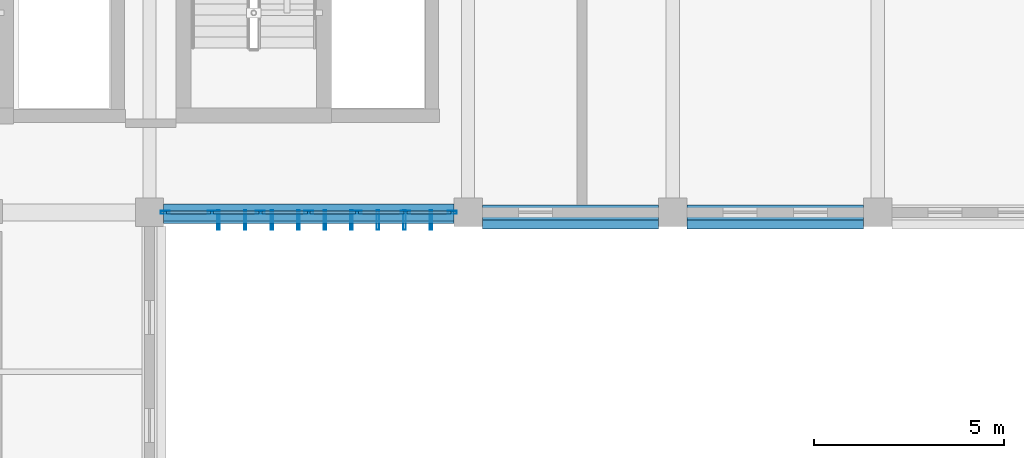
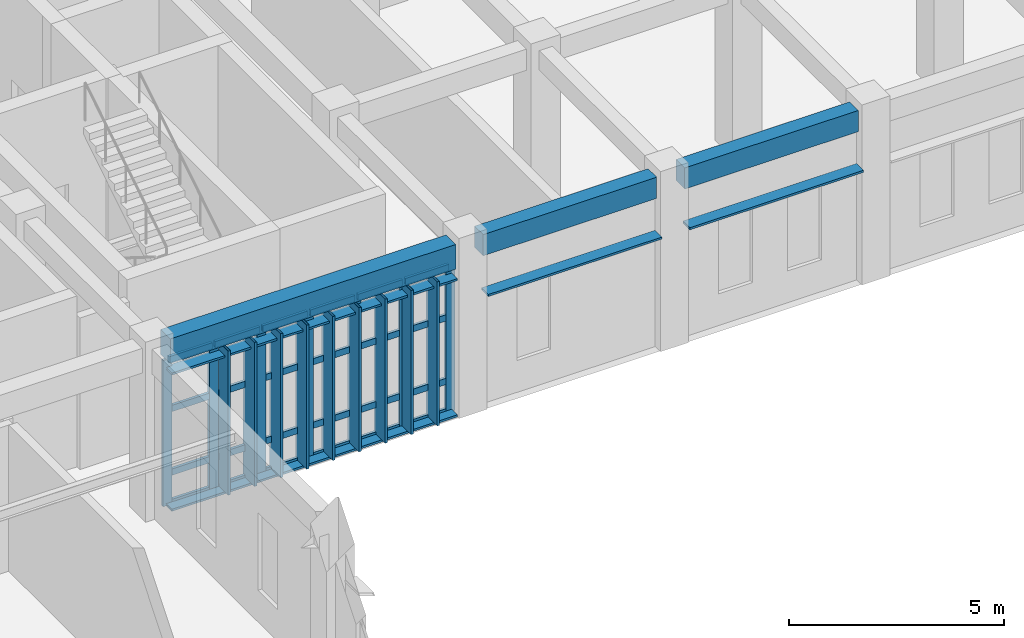
# One storey, part 37 of 77: 44 members, 3 beams, 1 element without a shape of its own.
"""IFC4 building model written with IfcOpenShell, lengths in metres."""

from ifc_helpers import new_model, si_unit, direction, frame, origin, origin_2d, place, context, subcontext, project, spatial, rectangle, hollow_rectangle, extrude, material, layer, layer_set, material_profile, profile_set, type_object, element, aggregate, save


model = new_model("IFC4")

# Units and contexts
model_context = context("Model", 3, precision=1e-05, world=origin(), true_north=direction((0.0, 1.0)))
body_context = subcontext(model_context, "Body", "Model", "MODEL_VIEW")
ifc_project = project(units=[si_unit("LENGTHUNIT", "METRE"), si_unit("AREAUNIT", "SQUARE_METRE"), si_unit("VOLUMEUNIT", "CUBIC_METRE"), si_unit("PLANEANGLEUNIT", "RADIAN"), si_unit("MASSUNIT", "GRAM", prefix="KILO")], contexts=[model_context])

# Site, building, storey
site_placement = place(None, origin())
site = spatial("IfcSite", under=ifc_project, at=site_placement, CompositionType="ELEMENT")
building_placement = place(site_placement, origin())
building = spatial("IfcBuilding", under=site, at=building_placement, Name="Krzemoval Escarpment Law Courts", CompositionType="ELEMENT")
storey_placement = place(building_placement, frame((0.0, 0.0, 15.300048828125)))
storey = spatial("IfcBuildingStorey", under=building, at=storey_placement, Name="L03", CompositionType="ELEMENT", Elevation=15.300048828125)

# Beams
ifc_material_1 = material(Name="Concrete C40/50", Category="concrete")
ifc_material_profile_1 = material_profile(ifc_material_1, rectangle(XDim=0.39990234375, YDim=0.60009765625, at=origin_2d()), Name="RCB 400x600")
ifc_profile_set_1 = profile_set([ifc_material_profile_1], Name="Concrete C40/50")
beam_type_1 = type_object("IfcBeamType", Name="BM-RC-400x600", PredefinedType="BEAM", material=ifc_profile_set_1)
beam_1_placement = place(storey_placement, frame((151.574951171875, 93.60009765625, 4.5400390625), z_axis=(1.0, 0.0, 0.0), x_axis=(0.0, 1.0, 0.0)))
element("IfcBeam", 1, at=beam_1_placement, inside=storey, type_object=beam_type_1, Name="Beam FG-L03-2185", PredefinedType="BEAM", context=body_context, shape_type="SweptSolid", body=[
    extrude(rectangle(XDim=0.39990234375, YDim=0.60009765625, at=origin_2d()), origin(), (0.0, 0.0, 1.0), 4.650146484375),
])
beam_2_placement = place(storey_placement, frame((156.97509765625, 93.60009765625, 4.5400390625), z_axis=(1.0, 0.0, 0.0), x_axis=(0.0, 1.0, 0.0)))
element("IfcBeam", 2, at=beam_2_placement, inside=storey, type_object=beam_type_1, Name="Beam FG-L03-2186", PredefinedType="BEAM", context=body_context, shape_type="SweptSolid", body=[
    extrude(rectangle(XDim=0.39990234375, YDim=0.60009765625, at=origin_2d()), origin(), (0.0, 0.0, 1.0), 4.64990234375),
])
ifc_material_2 = material(Name="Concrete C40/50", Category="concrete")
ifc_material_profile_2 = material_profile(ifc_material_2, rectangle(XDim=0.449951171875, YDim=0.699951171875, at=origin_2d()), Name="RCB 450x700")
ifc_profile_set_2 = profile_set([ifc_material_profile_2], Name="Concrete C40/50")
beam_type_2 = type_object("IfcBeamType", Name="BM-RC-450x700", PredefinedType="BEAM", material=ifc_profile_set_2)
beam_3_placement = place(storey_placement, frame((143.175048828125, 93.60009765625, 4.489990234375), z_axis=(1.0, 0.0, 0.0), x_axis=(0.0, 1.0, 0.0)))
element("IfcBeam", 3, at=beam_3_placement, inside=storey, type_object=beam_type_2, Name="Beam FG-L03-2184", PredefinedType="BEAM", context=body_context, shape_type="SweptSolid", body=[
    extrude(rectangle(XDim=0.449951171875, YDim=0.699951171875, at=origin_2d()), origin(), (0.0, 0.0, 1.0), 7.64990234375),
])

# Curtain wall, members
ifc_material_3 = material(Name="Aluminium 6063-T6", Category="aluminium")
ifc_layer = layer(ifc_material_3, 0.239990234375)
ifc_layer_set = layer_set([ifc_layer], Name="Aluminium 6063-T6")
curtain_wall_type = type_object("IfcCurtainWallType", Name="CW-CHMB-4800", PredefinedType="USERDEFINED", material=ifc_layer_set)
curtain_wall_placement = place(storey_placement, origin())
curtain_wall = element("IfcCurtainWall", 4, at=curtain_wall_placement, inside=storey, type_object=curtain_wall_type, Name="Unitised Curtain Wall FCW-L03-121", ObjectType="UNITISED_CURTAIN_WALL", PredefinedType="USERDEFINED")
ifc_material_4 = material(Name="Aluminium 6063-T6", Category="aluminium")
ifc_material_profile_3 = material_profile(ifc_material_4, hollow_rectangle(XDim=0.074951171875, YDim=0.239990234375, WallThickness=0.0048828125, at=origin_2d()), Name="ALU M75x240")
ifc_profile_set_3 = profile_set([ifc_material_profile_3], Name="Aluminium 6063-T6")
member_type_1 = type_object("IfcMemberType", Name="CWM-75x240", PredefinedType="MULLION", material=ifc_profile_set_3)
member_1_placement = place(storey_placement, frame((150.78759765625, 93.60009765625, 0.0), z_axis=(0.0, 0.0, 1.0), x_axis=(0.0, -1.0, 0.0)))
member_1 = element("IfcMember", 5, at=member_1_placement, type_object=member_type_1, Name="FCW-L03-121 mullion 1", PredefinedType="MULLION", context=body_context, shape_type="SweptSolid", body=[
    extrude(hollow_rectangle(XDim=0.074951171875, YDim=0.239990234375, WallThickness=0.0048828125, at=origin_2d()), origin(), (0.0, 0.0, 1.0), 4.139892578125),
])
member_2_placement = place(storey_placement, frame((149.550048828125, 93.60009765625, 0.0), z_axis=(0.0, 0.0, 1.0), x_axis=(0.0, -1.0, 0.0)))
member_2 = element("IfcMember", 6, at=member_2_placement, type_object=member_type_1, Name="FCW-L03-121 mullion 2", PredefinedType="MULLION", context=body_context, shape_type="SweptSolid", body=[
    extrude(hollow_rectangle(XDim=0.074951171875, YDim=0.239990234375, WallThickness=0.0048828125, at=origin_2d()), origin(), (0.0, 0.0, 1.0), 4.139892578125),
])
member_3_placement = place(storey_placement, frame((148.27490234375, 93.60009765625, 0.0), z_axis=(0.0, 0.0, 1.0), x_axis=(0.0, -1.0, 0.0)))
member_3 = element("IfcMember", 7, at=member_3_placement, type_object=member_type_1, Name="FCW-L03-121 mullion 3", PredefinedType="MULLION", context=body_context, shape_type="SweptSolid", body=[
    extrude(hollow_rectangle(XDim=0.074951171875, YDim=0.239990234375, WallThickness=0.0048828125, at=origin_2d()), origin(), (0.0, 0.0, 1.0), 4.139892578125),
])
member_4_placement = place(storey_placement, frame((147.0, 93.60009765625, 0.0), z_axis=(0.0, 0.0, 1.0), x_axis=(0.0, -1.0, 0.0)))
member_4 = element("IfcMember", 8, at=member_4_placement, type_object=member_type_1, Name="FCW-L03-121 mullion 4", PredefinedType="MULLION", context=body_context, shape_type="SweptSolid", body=[
    extrude(hollow_rectangle(XDim=0.074951171875, YDim=0.239990234375, WallThickness=0.0048828125, at=origin_2d()), origin(), (0.0, 0.0, 1.0), 4.139892578125),
])
member_5_placement = place(storey_placement, frame((145.72509765625, 93.60009765625, 0.0), z_axis=(0.0, 0.0, 1.0), x_axis=(0.0, -1.0, 0.0)))
member_5 = element("IfcMember", 9, at=member_5_placement, type_object=member_type_1, Name="FCW-L03-121 mullion 5", PredefinedType="MULLION", context=body_context, shape_type="SweptSolid", body=[
    extrude(hollow_rectangle(XDim=0.074951171875, YDim=0.239990234375, WallThickness=0.0048828125, at=origin_2d()), origin(), (0.0, 0.0, 1.0), 4.139892578125),
])
member_6_placement = place(storey_placement, frame((144.449951171875, 93.60009765625, 0.0), z_axis=(0.0, 0.0, 1.0), x_axis=(0.0, -1.0, 0.0)))
member_6 = element("IfcMember", 10, at=member_6_placement, type_object=member_type_1, Name="FCW-L03-121 mullion 6", PredefinedType="MULLION", context=body_context, shape_type="SweptSolid", body=[
    extrude(hollow_rectangle(XDim=0.074951171875, YDim=0.239990234375, WallThickness=0.0048828125, at=origin_2d()), origin(), (0.0, 0.0, 1.0), 4.139892578125),
])
member_7_placement = place(storey_placement, frame((143.21240234375, 93.60009765625, 0.0), z_axis=(0.0, 0.0, 1.0), x_axis=(0.0, -1.0, 0.0)))
member_7 = element("IfcMember", 11, at=member_7_placement, type_object=member_type_1, Name="FCW-L03-121 mullion 7", PredefinedType="MULLION", context=body_context, shape_type="SweptSolid", body=[
    extrude(hollow_rectangle(XDim=0.074951171875, YDim=0.239990234375, WallThickness=0.0048828125, at=origin_2d()), origin(), (0.0, 0.0, 1.0), 4.139892578125),
])
ifc_material_5 = material(Name="Aluminium 6063-T6", Category="aluminium")
ifc_material_profile_4 = material_profile(ifc_material_5, hollow_rectangle(XDim=0.074951171875, YDim=0.179931640625, WallThickness=0.0048828125, at=origin_2d()), Name="ALU T75x180")
ifc_profile_set_4 = profile_set([ifc_material_profile_4], Name="Aluminium 6063-T6")
member_type_2 = type_object("IfcMemberType", Name="CWT-75x180", PredefinedType="USERDEFINED", material=ifc_profile_set_4)
member_8_placement = place(storey_placement, frame((150.75, 93.60009765625, 0.037353515625), z_axis=(-1.0, 0.0, 0.0), x_axis=(0.0, -1.0, 0.0)))
member_8 = element("IfcMember", 12, at=member_8_placement, type_object=member_type_2, Name="FCW-L03-121 transom 1.1", ObjectType="TRANSOM", PredefinedType="USERDEFINED", context=body_context, shape_type="SweptSolid", body=[
    extrude(hollow_rectangle(XDim=0.074951171875, YDim=0.179931640625, WallThickness=0.0048828125, at=origin_2d()), origin(), (0.0, 0.0, 1.0), 1.16259765625),
])
member_9_placement = place(storey_placement, frame((150.75, 93.60009765625, 0.89990234375), z_axis=(-1.0, 0.0, 0.0), x_axis=(0.0, -1.0, 0.0)))
member_9 = element("IfcMember", 13, at=member_9_placement, type_object=member_type_2, Name="FCW-L03-121 transom 1.2", ObjectType="TRANSOM", PredefinedType="USERDEFINED", context=body_context, shape_type="SweptSolid", body=[
    extrude(hollow_rectangle(XDim=0.074951171875, YDim=0.179931640625, WallThickness=0.0048828125, at=origin_2d()), origin(), (0.0, 0.0, 1.0), 1.16259765625),
])
member_10_placement = place(storey_placement, frame((150.75, 93.60009765625, 2.699951171875), z_axis=(-1.0, 0.0, 0.0), x_axis=(0.0, -1.0, 0.0)))
member_10 = element("IfcMember", 14, at=member_10_placement, type_object=member_type_2, Name="FCW-L03-121 transom 1.3", ObjectType="TRANSOM", PredefinedType="USERDEFINED", context=body_context, shape_type="SweptSolid", body=[
    extrude(hollow_rectangle(XDim=0.074951171875, YDim=0.179931640625, WallThickness=0.0048828125, at=origin_2d()), origin(), (0.0, 0.0, 1.0), 1.16259765625),
])
member_11_placement = place(storey_placement, frame((150.75, 93.60009765625, 4.1025390625), z_axis=(-1.0, 0.0, 0.0), x_axis=(0.0, -1.0, 0.0)))
member_11 = element("IfcMember", 15, at=member_11_placement, type_object=member_type_2, Name="FCW-L03-121 transom 1.4", ObjectType="TRANSOM", PredefinedType="USERDEFINED", context=body_context, shape_type="SweptSolid", body=[
    extrude(hollow_rectangle(XDim=0.074951171875, YDim=0.179931640625, WallThickness=0.0048828125, at=origin_2d()), origin(), (0.0, 0.0, 1.0), 1.16259765625),
])
member_12_placement = place(storey_placement, frame((149.512451171875, 93.60009765625, 0.037353515625), z_axis=(-1.0, 0.0, 0.0), x_axis=(0.0, -1.0, 0.0)))
member_12 = element("IfcMember", 16, at=member_12_placement, type_object=member_type_2, Name="FCW-L03-121 transom 2.1", ObjectType="TRANSOM", PredefinedType="USERDEFINED", context=body_context, shape_type="SweptSolid", body=[
    extrude(hollow_rectangle(XDim=0.074951171875, YDim=0.179931640625, WallThickness=0.0048828125, at=origin_2d()), origin(), (0.0, 0.0, 1.0), 1.199951171875),
])
member_13_placement = place(storey_placement, frame((149.512451171875, 93.60009765625, 0.89990234375), z_axis=(-1.0, 0.0, 0.0), x_axis=(0.0, -1.0, 0.0)))
member_13 = element("IfcMember", 17, at=member_13_placement, type_object=member_type_2, Name="FCW-L03-121 transom 2.2", ObjectType="TRANSOM", PredefinedType="USERDEFINED", context=body_context, shape_type="SweptSolid", body=[
    extrude(hollow_rectangle(XDim=0.074951171875, YDim=0.179931640625, WallThickness=0.0048828125, at=origin_2d()), origin(), (0.0, 0.0, 1.0), 1.199951171875),
])
member_14_placement = place(storey_placement, frame((149.512451171875, 93.60009765625, 2.699951171875), z_axis=(-1.0, 0.0, 0.0), x_axis=(0.0, -1.0, 0.0)))
member_14 = element("IfcMember", 18, at=member_14_placement, type_object=member_type_2, Name="FCW-L03-121 transom 2.3", ObjectType="TRANSOM", PredefinedType="USERDEFINED", context=body_context, shape_type="SweptSolid", body=[
    extrude(hollow_rectangle(XDim=0.074951171875, YDim=0.179931640625, WallThickness=0.0048828125, at=origin_2d()), origin(), (0.0, 0.0, 1.0), 1.199951171875),
])
member_15_placement = place(storey_placement, frame((149.512451171875, 93.60009765625, 4.1025390625), z_axis=(-1.0, 0.0, 0.0), x_axis=(0.0, -1.0, 0.0)))
member_15 = element("IfcMember", 19, at=member_15_placement, type_object=member_type_2, Name="FCW-L03-121 transom 2.4", ObjectType="TRANSOM", PredefinedType="USERDEFINED", context=body_context, shape_type="SweptSolid", body=[
    extrude(hollow_rectangle(XDim=0.074951171875, YDim=0.179931640625, WallThickness=0.0048828125, at=origin_2d()), origin(), (0.0, 0.0, 1.0), 1.199951171875),
])
member_16_placement = place(storey_placement, frame((148.237548828125, 93.60009765625, 0.037353515625), z_axis=(-1.0, 0.0, 0.0), x_axis=(0.0, -1.0, 0.0)))
member_16 = element("IfcMember", 20, at=member_16_placement, type_object=member_type_2, Name="FCW-L03-121 transom 3.1", ObjectType="TRANSOM", PredefinedType="USERDEFINED", context=body_context, shape_type="SweptSolid", body=[
    extrude(hollow_rectangle(XDim=0.074951171875, YDim=0.179931640625, WallThickness=0.0048828125, at=origin_2d()), origin(), (0.0, 0.0, 1.0), 1.199951171875),
])
member_17_placement = place(storey_placement, frame((148.237548828125, 93.60009765625, 0.89990234375), z_axis=(-1.0, 0.0, 0.0), x_axis=(0.0, -1.0, 0.0)))
member_17 = element("IfcMember", 21, at=member_17_placement, type_object=member_type_2, Name="FCW-L03-121 transom 3.2", ObjectType="TRANSOM", PredefinedType="USERDEFINED", context=body_context, shape_type="SweptSolid", body=[
    extrude(hollow_rectangle(XDim=0.074951171875, YDim=0.179931640625, WallThickness=0.0048828125, at=origin_2d()), origin(), (0.0, 0.0, 1.0), 1.199951171875),
])
member_18_placement = place(storey_placement, frame((148.237548828125, 93.60009765625, 2.699951171875), z_axis=(-1.0, 0.0, 0.0), x_axis=(0.0, -1.0, 0.0)))
member_18 = element("IfcMember", 22, at=member_18_placement, type_object=member_type_2, Name="FCW-L03-121 transom 3.3", ObjectType="TRANSOM", PredefinedType="USERDEFINED", context=body_context, shape_type="SweptSolid", body=[
    extrude(hollow_rectangle(XDim=0.074951171875, YDim=0.179931640625, WallThickness=0.0048828125, at=origin_2d()), origin(), (0.0, 0.0, 1.0), 1.199951171875),
])
member_19_placement = place(storey_placement, frame((148.237548828125, 93.60009765625, 4.1025390625), z_axis=(-1.0, 0.0, 0.0), x_axis=(0.0, -1.0, 0.0)))
member_19 = element("IfcMember", 23, at=member_19_placement, type_object=member_type_2, Name="FCW-L03-121 transom 3.4", ObjectType="TRANSOM", PredefinedType="USERDEFINED", context=body_context, shape_type="SweptSolid", body=[
    extrude(hollow_rectangle(XDim=0.074951171875, YDim=0.179931640625, WallThickness=0.0048828125, at=origin_2d()), origin(), (0.0, 0.0, 1.0), 1.199951171875),
])
member_20_placement = place(storey_placement, frame((146.96240234375, 93.60009765625, 0.037353515625), z_axis=(-1.0, 0.0, 0.0), x_axis=(0.0, -1.0, 0.0)))
member_20 = element("IfcMember", 24, at=member_20_placement, type_object=member_type_2, Name="FCW-L03-121 transom 4.1", ObjectType="TRANSOM", PredefinedType="USERDEFINED", context=body_context, shape_type="SweptSolid", body=[
    extrude(hollow_rectangle(XDim=0.074951171875, YDim=0.179931640625, WallThickness=0.0048828125, at=origin_2d()), origin(), (0.0, 0.0, 1.0), 1.199951171875),
])
member_21_placement = place(storey_placement, frame((146.96240234375, 93.60009765625, 0.89990234375), z_axis=(-1.0, 0.0, 0.0), x_axis=(0.0, -1.0, 0.0)))
member_21 = element("IfcMember", 25, at=member_21_placement, type_object=member_type_2, Name="FCW-L03-121 transom 4.2", ObjectType="TRANSOM", PredefinedType="USERDEFINED", context=body_context, shape_type="SweptSolid", body=[
    extrude(hollow_rectangle(XDim=0.074951171875, YDim=0.179931640625, WallThickness=0.0048828125, at=origin_2d()), origin(), (0.0, 0.0, 1.0), 1.199951171875),
])
member_22_placement = place(storey_placement, frame((146.96240234375, 93.60009765625, 2.699951171875), z_axis=(-1.0, 0.0, 0.0), x_axis=(0.0, -1.0, 0.0)))
member_22 = element("IfcMember", 26, at=member_22_placement, type_object=member_type_2, Name="FCW-L03-121 transom 4.3", ObjectType="TRANSOM", PredefinedType="USERDEFINED", context=body_context, shape_type="SweptSolid", body=[
    extrude(hollow_rectangle(XDim=0.074951171875, YDim=0.179931640625, WallThickness=0.0048828125, at=origin_2d()), origin(), (0.0, 0.0, 1.0), 1.199951171875),
])
member_23_placement = place(storey_placement, frame((146.96240234375, 93.60009765625, 4.1025390625), z_axis=(-1.0, 0.0, 0.0), x_axis=(0.0, -1.0, 0.0)))
member_23 = element("IfcMember", 27, at=member_23_placement, type_object=member_type_2, Name="FCW-L03-121 transom 4.4", ObjectType="TRANSOM", PredefinedType="USERDEFINED", context=body_context, shape_type="SweptSolid", body=[
    extrude(hollow_rectangle(XDim=0.074951171875, YDim=0.179931640625, WallThickness=0.0048828125, at=origin_2d()), origin(), (0.0, 0.0, 1.0), 1.199951171875),
])
member_24_placement = place(storey_placement, frame((145.6875, 93.60009765625, 0.037353515625), z_axis=(-1.0, 0.0, 0.0), x_axis=(0.0, -1.0, 0.0)))
member_24 = element("IfcMember", 28, at=member_24_placement, type_object=member_type_2, Name="FCW-L03-121 transom 5.1", ObjectType="TRANSOM", PredefinedType="USERDEFINED", context=body_context, shape_type="SweptSolid", body=[
    extrude(hollow_rectangle(XDim=0.074951171875, YDim=0.179931640625, WallThickness=0.0048828125, at=origin_2d()), origin(), (0.0, 0.0, 1.0), 1.199951171875),
])
member_25_placement = place(storey_placement, frame((145.6875, 93.60009765625, 0.89990234375), z_axis=(-1.0, 0.0, 0.0), x_axis=(0.0, -1.0, 0.0)))
member_25 = element("IfcMember", 29, at=member_25_placement, type_object=member_type_2, Name="FCW-L03-121 transom 5.2", ObjectType="TRANSOM", PredefinedType="USERDEFINED", context=body_context, shape_type="SweptSolid", body=[
    extrude(hollow_rectangle(XDim=0.074951171875, YDim=0.179931640625, WallThickness=0.0048828125, at=origin_2d()), origin(), (0.0, 0.0, 1.0), 1.199951171875),
])
member_26_placement = place(storey_placement, frame((145.6875, 93.60009765625, 2.699951171875), z_axis=(-1.0, 0.0, 0.0), x_axis=(0.0, -1.0, 0.0)))
member_26 = element("IfcMember", 30, at=member_26_placement, type_object=member_type_2, Name="FCW-L03-121 transom 5.3", ObjectType="TRANSOM", PredefinedType="USERDEFINED", context=body_context, shape_type="SweptSolid", body=[
    extrude(hollow_rectangle(XDim=0.074951171875, YDim=0.179931640625, WallThickness=0.0048828125, at=origin_2d()), origin(), (0.0, 0.0, 1.0), 1.199951171875),
])
member_27_placement = place(storey_placement, frame((145.6875, 93.60009765625, 4.1025390625), z_axis=(-1.0, 0.0, 0.0), x_axis=(0.0, -1.0, 0.0)))
member_27 = element("IfcMember", 31, at=member_27_placement, type_object=member_type_2, Name="FCW-L03-121 transom 5.4", ObjectType="TRANSOM", PredefinedType="USERDEFINED", context=body_context, shape_type="SweptSolid", body=[
    extrude(hollow_rectangle(XDim=0.074951171875, YDim=0.179931640625, WallThickness=0.0048828125, at=origin_2d()), origin(), (0.0, 0.0, 1.0), 1.199951171875),
])
member_28_placement = place(storey_placement, frame((144.41259765625, 93.60009765625, 0.037353515625), z_axis=(-1.0, 0.0, 0.0), x_axis=(0.0, -1.0, 0.0)))
member_28 = element("IfcMember", 32, at=member_28_placement, type_object=member_type_2, Name="FCW-L03-121 transom 6.1", ObjectType="TRANSOM", PredefinedType="USERDEFINED", context=body_context, shape_type="SweptSolid", body=[
    extrude(hollow_rectangle(XDim=0.074951171875, YDim=0.179931640625, WallThickness=0.0048828125, at=origin_2d()), origin(), (0.0, 0.0, 1.0), 1.16259765625),
])
member_29_placement = place(storey_placement, frame((144.41259765625, 93.60009765625, 0.89990234375), z_axis=(-1.0, 0.0, 0.0), x_axis=(0.0, -1.0, 0.0)))
member_29 = element("IfcMember", 33, at=member_29_placement, type_object=member_type_2, Name="FCW-L03-121 transom 6.2", ObjectType="TRANSOM", PredefinedType="USERDEFINED", context=body_context, shape_type="SweptSolid", body=[
    extrude(hollow_rectangle(XDim=0.074951171875, YDim=0.179931640625, WallThickness=0.0048828125, at=origin_2d()), origin(), (0.0, 0.0, 1.0), 1.16259765625),
])
member_30_placement = place(storey_placement, frame((144.41259765625, 93.60009765625, 2.699951171875), z_axis=(-1.0, 0.0, 0.0), x_axis=(0.0, -1.0, 0.0)))
member_30 = element("IfcMember", 34, at=member_30_placement, type_object=member_type_2, Name="FCW-L03-121 transom 6.3", ObjectType="TRANSOM", PredefinedType="USERDEFINED", context=body_context, shape_type="SweptSolid", body=[
    extrude(hollow_rectangle(XDim=0.074951171875, YDim=0.179931640625, WallThickness=0.0048828125, at=origin_2d()), origin(), (0.0, 0.0, 1.0), 1.16259765625),
])
member_31_placement = place(storey_placement, frame((144.41259765625, 93.60009765625, 4.1025390625), z_axis=(-1.0, 0.0, 0.0), x_axis=(0.0, -1.0, 0.0)))
member_31 = element("IfcMember", 35, at=member_31_placement, type_object=member_type_2, Name="FCW-L03-121 transom 6.4", ObjectType="TRANSOM", PredefinedType="USERDEFINED", context=body_context, shape_type="SweptSolid", body=[
    extrude(hollow_rectangle(XDim=0.074951171875, YDim=0.179931640625, WallThickness=0.0048828125, at=origin_2d()), origin(), (0.0, 0.0, 1.0), 1.16259765625),
])
aggregate(curtain_wall, [member_1, member_2, member_3, member_4, member_5, member_6, member_7, member_8, member_9, member_10, member_11, member_12, member_13, member_14, member_15, member_16, member_17, member_18, member_19, member_20, member_21, member_22, member_23, member_24, member_25, member_26, member_27, member_28, member_29, member_30, member_31])

# Members
ifc_material_6 = material(Name="Anodised Aluminium Alloy 6063-T6", Category="aluminium")
ifc_material_profile_5 = material_profile(ifc_material_6, hollow_rectangle(XDim=0.06005859375, YDim=0.320068359375, WallThickness=0.00390625, at=origin_2d()), Name="ALU LVR 60x320")
ifc_profile_set_5 = profile_set([ifc_material_profile_5], Name="Anodised Aluminium Alloy 6063-T6")
member_type_3 = type_object("IfcMemberType", Name="LVR-ALU-320", PredefinedType="USERDEFINED", material=ifc_profile_set_5)
member_32_placement = place(storey_placement, frame((161.625, 93.320068359375, 3.260009765625), z_axis=(-1.0, 0.0, 0.0), x_axis=(0.0, 0.0, 1.0)))
element("IfcMember", 36, at=member_32_placement, inside=storey, type_object=member_type_3, Name="Window Sunshade Louvre FLV-L03-0801", ObjectType="SUNSHADE_LOUVRE", PredefinedType="USERDEFINED", context=body_context, shape_type="SweptSolid", body=[
    extrude(hollow_rectangle(XDim=0.06005859375, YDim=0.320068359375, WallThickness=0.00390625, at=origin_2d()), origin(), (0.0, 0.0, 1.0), 4.64990234375),
])
member_33_placement = place(storey_placement, frame((156.22509765625, 93.320068359375, 3.260009765625), z_axis=(-1.0, 0.0, 0.0), x_axis=(0.0, 0.0, 1.0)))
element("IfcMember", 37, at=member_33_placement, inside=storey, type_object=member_type_3, Name="Window Sunshade Louvre FLV-L03-0802", ObjectType="SUNSHADE_LOUVRE", PredefinedType="USERDEFINED", context=body_context, shape_type="SweptSolid", body=[
    extrude(hollow_rectangle(XDim=0.06005859375, YDim=0.320068359375, WallThickness=0.00390625, at=origin_2d()), origin(), (0.0, 0.0, 1.0), 4.650146484375),
])
for number, where, z_axis, x_axis, name in (
    (38, (150.824951171875, 93.4599609375, 0.030029296875), (-1.0, 0.0, 0.0), (0.0, 0.0, 1.0), "Sunshade Support Rail FSR-L03-0803"),
    (39, (150.824951171875, 93.4599609375, 3.889892578125), (-1.0, 0.0, 0.0), (0.0, 0.0, 1.0), "Sunshade Support Rail FSR-L03-0804"),
):
    element("IfcMember", number, at=place(storey_placement, frame(where, z_axis=z_axis, x_axis=x_axis)), inside=storey, type_object=member_type_3, Name=name, ObjectType="SUNSHADE_LOUVRE", PredefinedType="USERDEFINED", context=body_context, shape_type="SweptSolid", body=[
        extrude(hollow_rectangle(XDim=0.06005859375, YDim=0.320068359375, WallThickness=0.00390625, at=origin_2d()), origin(), (0.0, 0.0, 1.0), 7.64990234375),
    ])
ifc_material_7 = material(Name="Anodised Aluminium Alloy 6063-T6", Category="aluminium")
ifc_material_profile_6 = material_profile(ifc_material_7, hollow_rectangle(XDim=0.06494140625, YDim=0.52001953125, WallThickness=0.00439453125, at=origin_2d()), Name="ALU LVR 65x520")
ifc_profile_set_6 = profile_set([ifc_material_profile_6], Name="Anodised Aluminium Alloy 6063-T6")
member_type_4 = type_object("IfcMemberType", Name="LVR-ALU-520", PredefinedType="USERDEFINED", material=ifc_profile_set_6)
for number, where, z_axis, x_axis, name in (
    (40, (150.22509765625, 93.39990234375, 0.06005859375), (0.0, 0.0, 1.0), (1.0, 0.0, 0.0), "Sunshade Louvre Fin FLV-L03-0805"),
    (41, (149.52490234375, 93.39990234375, 0.06005859375), (0.0, 0.0, 1.0), (1.0, 0.0, 0.0), "Sunshade Louvre Fin FLV-L03-0806"),
    (42, (148.824951171875, 93.39990234375, 0.06005859375), (0.0, 0.0, 1.0), (1.0, 0.0, 0.0), "Sunshade Louvre Fin FLV-L03-0807"),
    (43, (148.125, 93.39990234375, 0.06005859375), (0.0, 0.0, 1.0), (1.0, 0.0, 0.0), "Sunshade Louvre Fin FLV-L03-0808"),
    (44, (147.425048828125, 93.39990234375, 0.06005859375), (0.0, 0.0, 1.0), (1.0, 0.0, 0.0), "Sunshade Louvre Fin FLV-L03-0809"),
    (45, (146.72509765625, 93.39990234375, 0.06005859375), (0.0, 0.0, 1.0), (1.0, 0.0, 0.0), "Sunshade Louvre Fin FLV-L03-0810"),
    (46, (146.02490234375, 93.39990234375, 0.06005859375), (0.0, 0.0, 1.0), (1.0, 0.0, 0.0), "Sunshade Louvre Fin FLV-L03-0811"),
    (47, (145.324951171875, 93.39990234375, 0.06005859375), (0.0, 0.0, 1.0), (1.0, 0.0, 0.0), "Sunshade Louvre Fin FLV-L03-0812"),
    (48, (144.625, 93.39990234375, 0.06005859375), (0.0, 0.0, 1.0), (1.0, 0.0, 0.0), "Sunshade Louvre Fin FLV-L03-0813"),
):
    element("IfcMember", number, at=place(storey_placement, frame(where, z_axis=z_axis, x_axis=x_axis)), inside=storey, type_object=member_type_4, Name=name, ObjectType="SUNSHADE_LOUVRE", PredefinedType="USERDEFINED", context=body_context, shape_type="SweptSolid", body=[
        extrude(hollow_rectangle(XDim=0.06494140625, YDim=0.52001953125, WallThickness=0.00439453125, at=origin_2d()), origin(), (0.0, 0.0, 1.0), 4.079833984375),
    ])

save(model, "model.ifc")
